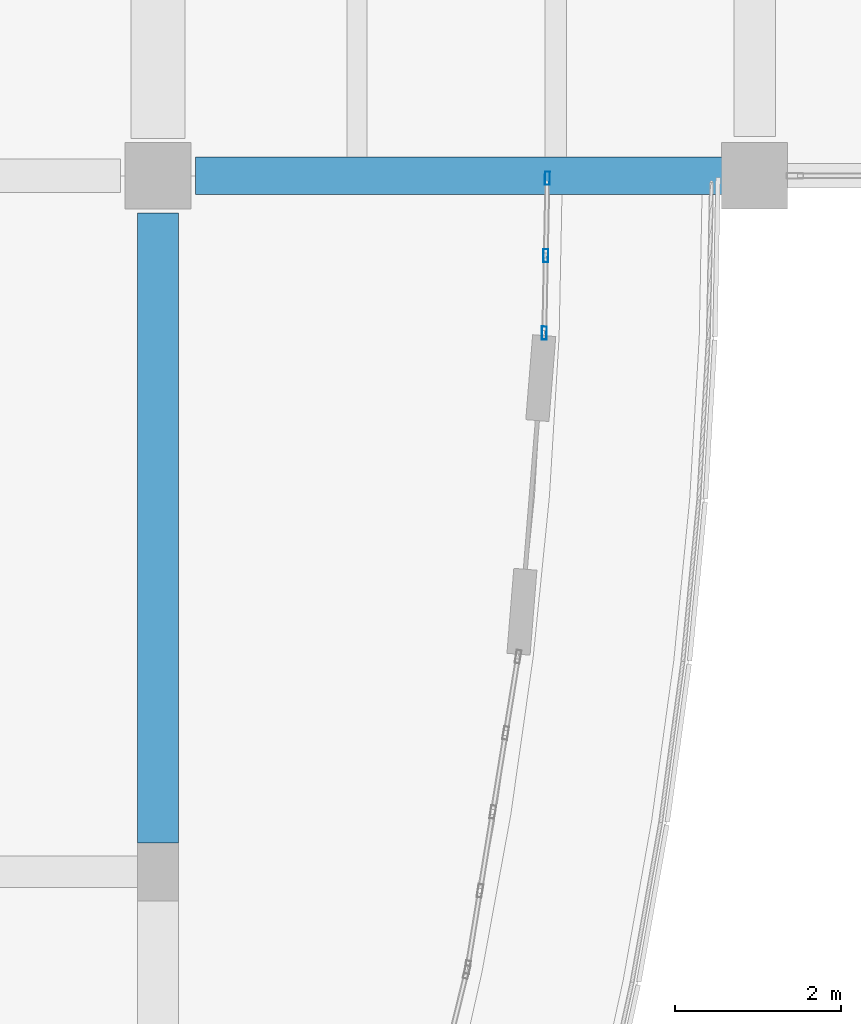
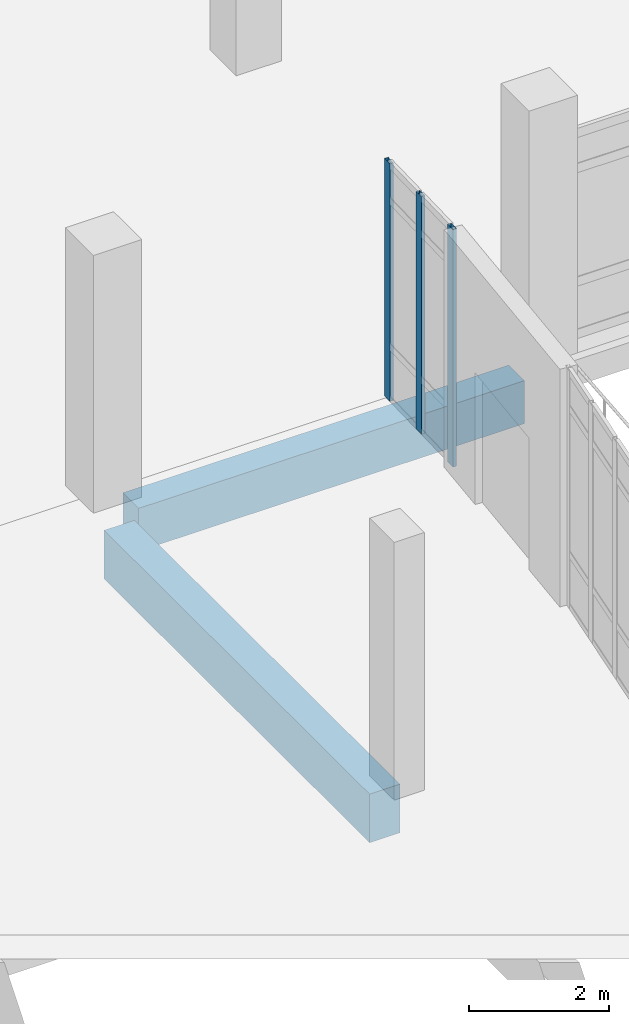
# One storey, part 69 of 124: 3 members, 2 beams, 1 element without a shape of its own.
"""IFC4 building model written with IfcOpenShell, lengths in metres."""

from ifc_helpers import new_model, si_unit, direction, frame, origin, origin_2d, place, context, subcontext, project, spatial, rectangle, hollow_rectangle, extrude, material, material_profile, profile_set, type_object, element, aggregate, save


model = new_model("IFC4")

# Units and contexts
model_context = context("Model", 3, precision=1e-05, world=origin(), true_north=direction((0.0, 1.0)))
body_context = subcontext(model_context, "Body", "Model", "MODEL_VIEW")
ifc_project = project(units=[si_unit("LENGTHUNIT", "METRE"), si_unit("AREAUNIT", "SQUARE_METRE"), si_unit("VOLUMEUNIT", "CUBIC_METRE"), si_unit("PLANEANGLEUNIT", "RADIAN"), si_unit("MASSUNIT", "GRAM", prefix="KILO")], contexts=[model_context])

# Site, building, storey
site_placement = place(None, origin())
site = spatial("IfcSite", under=ifc_project, at=site_placement, CompositionType="ELEMENT")
building_placement = place(site_placement, origin())
building = spatial("IfcBuilding", under=site, at=building_placement, Name="Kalluvel Institute of Natural Sciences", CompositionType="ELEMENT")
storey_placement = place(building_placement, frame((0.0, 0.0, 9.89990234375)))
storey = spatial("IfcBuildingStorey", under=building, at=storey_placement, Name="L02", CompositionType="ELEMENT", Elevation=9.89990234375)

# Beams
ifc_material_1 = material(Name="Concrete M40", Category="concrete")
ifc_material_profile_1 = material_profile(ifc_material_1, rectangle(XDim=0.449951171875, YDim=0.75, at=origin_2d()), Name="RCB 450x750")
ifc_profile_set_1 = profile_set([ifc_material_profile_1], Name="Concrete M40")
beam_type_1 = type_object("IfcBeamType", Name="BM-RC450x750", PredefinedType="BEAM", material=ifc_profile_set_1)
beam_1_placement = place(storey_placement, frame((79.25, 102.800048828125, -0.69482421875), z_axis=(1.0, 0.0, 0.0), x_axis=(0.0, 1.0, 0.0)))
element("IfcBeam", 1, at=beam_1_placement, inside=storey, type_object=beam_type_1, Name="L02 girder GIR-L02-EW-X788-Y1028", PredefinedType="BEAM", context=body_context, shape_type="SweptSolid", body=[
    extrude(rectangle(XDim=0.449951171875, YDim=0.75, at=origin_2d()), origin(), (0.0, 0.0, 1.0), 6.375),
])
ifc_material_2 = material(Name="Concrete M50", Category="concrete")
ifc_material_profile_2 = material_profile(ifc_material_2, rectangle(XDim=0.5, YDim=0.85009765625, at=origin_2d()), Name="RCB 500x850")
ifc_profile_set_2 = profile_set([ifc_material_profile_2], Name="Concrete M50")
beam_type_2 = type_object("IfcBeamType", Name="BM-RC500x850", PredefinedType="BEAM", material=ifc_profile_set_2)
beam_2_placement = place(storey_placement, frame((78.800048828125, 94.75, -0.744873046875), z_axis=(0.0, 1.0, 0.0), x_axis=(-1.0, 0.0, 0.0)))
element("IfcBeam", 2, at=beam_2_placement, inside=storey, type_object=beam_type_2, Name="L02 girder GIR-L02-NS-X788-Y944", PredefinedType="BEAM", context=body_context, shape_type="SweptSolid", body=[
    extrude(rectangle(XDim=0.5, YDim=0.85009765625, at=origin_2d()), origin(), (0.0, 0.0, 1.0), 7.60009765625),
])

# Curtain wall, members
ifc_material_3 = material(Name="Aluminium AW-6063 T6", Category="aluminium")
curtain_wall_type = type_object("IfcCurtainWallType", Name="CW-ATR-ARC", PredefinedType="USERDEFINED", material=ifc_material_3)
curtain_wall_placement = place(storey_placement, origin())
curtain_wall = element("IfcCurtainWall", 3, at=curtain_wall_placement, inside=storey, type_object=curtain_wall_type, Name="L02 Gothic lancet curtain wall CWA-L02-X835-Y1009", ObjectType="UNITISED LANCET FACADE", PredefinedType="USERDEFINED")
ifc_material_profile_3 = material_profile(ifc_material_3, hollow_rectangle(XDim=0.06005859375, YDim=0.159912109375, WallThickness=0.00390625, at=origin_2d()), Name="CWM 60x160")
ifc_profile_set_3 = profile_set([ifc_material_profile_3], Name="Aluminium AW-6063 T6")
member_type = type_object("IfcMemberType", Name="CWM-60x160", PredefinedType="MULLION", material=ifc_profile_set_3)
member_1_placement = place(storey_placement, frame((83.4619140625, 100.9013671875, 0.0), z_axis=(0.0, 0.0, 1.0), x_axis=(-0.999797710985, 0.02011310789, 0.0)))
member_1 = element("IfcMember", 4, at=member_1_placement, type_object=member_type, Name="CW-05 mullion 1", PredefinedType="MULLION", context=body_context, shape_type="SweptSolid", body=[
    extrude(hollow_rectangle(XDim=0.06005859375, YDim=0.159912109375, WallThickness=0.00390625, at=origin_2d()), origin(), (0.0, 0.0, 1.0), 4.150146484375),
])
member_2_placement = place(storey_placement, frame((83.480712890625, 101.835693359375, 0.0), z_axis=(0.0, 0.0, 1.0), x_axis=(-0.999797710985, 0.02011310789, 0.0)))
member_2 = element("IfcMember", 5, at=member_2_placement, type_object=member_type, Name="CW-05 mullion 2", PredefinedType="MULLION", context=body_context, shape_type="SweptSolid", body=[
    extrude(hollow_rectangle(XDim=0.06005859375, YDim=0.159912109375, WallThickness=0.00390625, at=origin_2d()), origin(), (0.0, 0.0, 1.0), 4.150146484375),
])
member_3_placement = place(storey_placement, frame((83.49951171875, 102.77001953125, 0.0), z_axis=(0.0, 0.0, 1.0), x_axis=(-0.999797710985, 0.02011310789, 0.0)))
member_3 = element("IfcMember", 6, at=member_3_placement, type_object=member_type, Name="CW-05 mullion 3", PredefinedType="MULLION", context=body_context, shape_type="SweptSolid", body=[
    extrude(hollow_rectangle(XDim=0.06005859375, YDim=0.159912109375, WallThickness=0.00390625, at=origin_2d()), origin(), (0.0, 0.0, 1.0), 4.150146484375),
])
aggregate(curtain_wall, [member_1, member_2, member_3])

save(model, "model.ifc")
